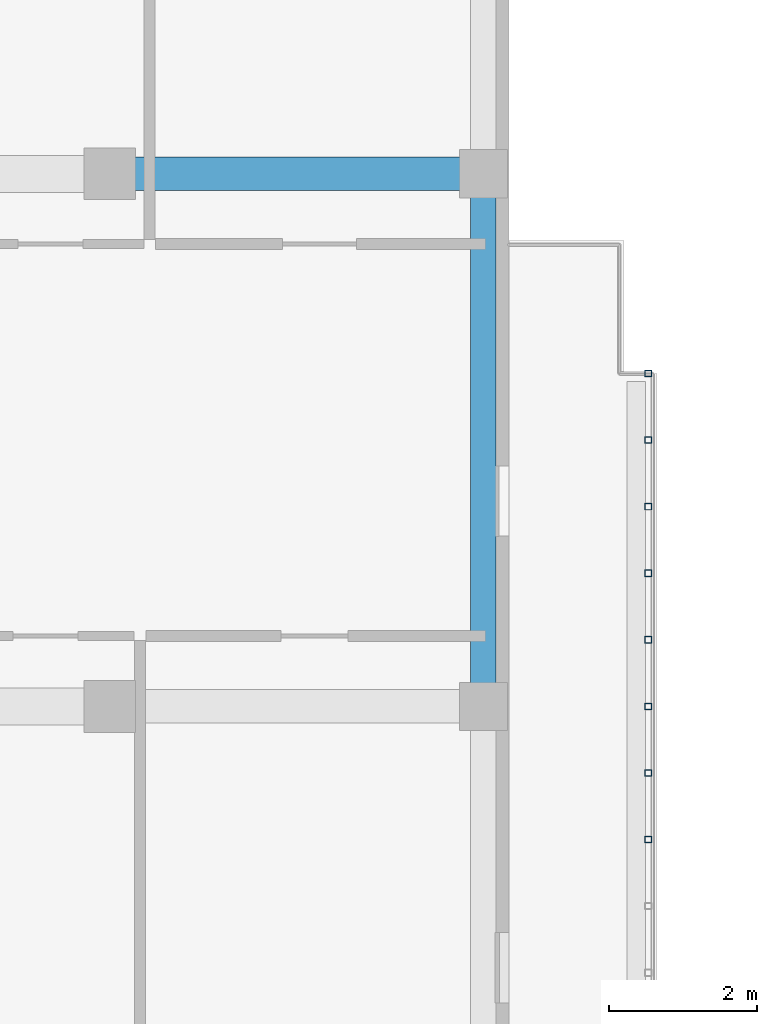
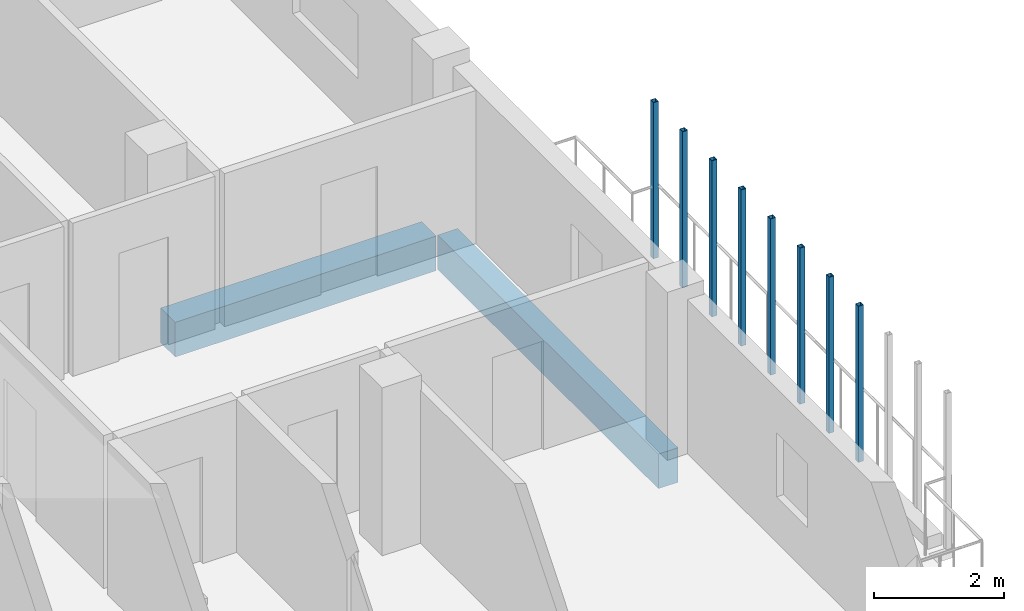
# One storey, part 11 of 51: 8 members, 2 beams.
"""IFC4 building model written with IfcOpenShell, lengths in metres."""

import ifcopenshell
import ifcopenshell.guid

model = None  # the IFC model being written
_history = None  # IfcOwnerHistory: only IFC2X3 demands one
_inside = {}  # id of a spatial element -> (the spatial element, [elements in it])
_under = {}  # id of a project, library or spatial element -> (it, [spatial elements below it])
_declared = {}  # id of a project -> (the project, [libraries it declares])
_typed = {}  # id of a type object -> (the type object, [elements of that type])
_made_of = {}  # id of a material, layer set ... -> (it, [elements and type objects made of it])


def new_model(schema):
    """Start an empty IFC model of exactly this schema.

    Asked for "IFC4X3", IfcOpenShell would pick the latest addendum, in which some entities
    have other attributes; the version numbers below select the first issue.
    IFC2X3 requires an IfcOwnerHistory on every rooted entity: one is made here for all.
    """
    global model, _history
    if schema == "IFC4X3":
        model = ifcopenshell.file(schema_version=(4, 3, 0, 0))
    else:
        model = ifcopenshell.file(schema=schema)
    _inside.clear()
    _under.clear()
    _declared.clear()
    _typed.clear()
    _made_of.clear()
    _history = None
    if model.schema == "IFC2X3":
        org = make("IfcOrganization", Name="unknown")
        user = make(
            "IfcPersonAndOrganization",
            ThePerson=make("IfcPerson", FamilyName="unknown"),
            TheOrganization=org,
        )
        app = make(
            "IfcApplication",
            ApplicationDeveloper=org,
            Version="unknown",
            ApplicationFullName="unknown",
            ApplicationIdentifier="unknown",
        )
        _history = make(
            "IfcOwnerHistory",
            OwningUser=user,
            OwningApplication=app,
            ChangeAction="ADDED",
            CreationDate=0,
        )
    return model


def make(cls, **values):
    """One entity of the class cls with the attributes given. An attribute that is None is left unset."""
    return model.create_entity(
        cls, **{name: value for name, value in values.items() if value is not None}
    )


def rooted(cls, **values):
    """An entity with a GlobalId (a new one), such as an element, a storey or a relation."""
    return make(cls, GlobalId=ifcopenshell.guid.new(), OwnerHistory=_history, **values)


def si_unit(unit_type, name, prefix=None):
    """IfcSIUnit, for example si_unit("LENGTHUNIT", "METRE", prefix="MILLI")."""
    return make("IfcSIUnit", UnitType=unit_type, Prefix=prefix, Name=name)


def derived_unit(unit_type, elements):
    """IfcDerivedUnit: a product of units, each with its exponent."""
    return make(
        "IfcDerivedUnit",
        Elements=[
            make("IfcDerivedUnitElement", Unit=unit, Exponent=power)
            for unit, power in elements
        ],
        UnitType=unit_type,
    )


def assignment(units):
    """IfcUnitAssignment: the units of a project."""
    return None if units is None else make("IfcUnitAssignment", Units=units)


def point(xyz):
    """IfcCartesianPoint."""
    return None if xyz is None else make("IfcCartesianPoint", Coordinates=xyz)


def direction(xyz):
    """IfcDirection."""
    return None if xyz is None else make("IfcDirection", DirectionRatios=xyz)


def frame(location, z_axis=None, x_axis=None):
    """IfcAxis2Placement3D, a coordinate frame: its origin and axes. An axis left out is left unset."""
    return make(
        "IfcAxis2Placement3D",
        Location=point(location),
        Axis=direction(z_axis),
        RefDirection=direction(x_axis),
    )


def frame_2d(location, x_axis=None):
    """IfcAxis2Placement2D, a coordinate frame in the plane: its origin and x axis."""
    return make(
        "IfcAxis2Placement2D", Location=point(location), RefDirection=direction(x_axis)
    )


def origin():
    """The frame at (0, 0, 0) with its axes left unset."""
    return frame((0.0, 0.0, 0.0))


def origin_2d():
    """The frame at (0, 0) in the plane with its x axis left unset."""
    return frame_2d((0.0, 0.0))


def place(relative_to, where):
    """IfcLocalPlacement: puts the frame where relative to a parent placement (None: the world)."""
    return make(
        "IfcLocalPlacement", PlacementRelTo=relative_to, RelativePlacement=where
    )


def context(
    kind, dimensions, precision=None, world=None, true_north=None, identifier=None
):
    """IfcGeometricRepresentationContext, for example the 3D "Model" context."""
    return make(
        "IfcGeometricRepresentationContext",
        ContextIdentifier=identifier,
        ContextType=kind,
        CoordinateSpaceDimension=dimensions,
        Precision=precision,
        WorldCoordinateSystem=world,
        TrueNorth=true_north,
    )


def subcontext(parent, identifier, kind, view, scale=None):
    """IfcGeometricRepresentationSubContext, for example "Body" below "Model"."""
    return make(
        "IfcGeometricRepresentationSubContext",
        ContextIdentifier=identifier,
        ContextType=kind,
        ParentContext=parent,
        TargetScale=scale,
        TargetView=view,
    )


def project(units=None, contexts=None):
    """IfcProject with its units and contexts."""
    return rooted(
        "IfcProject",
        Name="project",
        RepresentationContexts=contexts,
        UnitsInContext=assignment(units),
    )


def spatial(cls, under=None, at=None, **own):
    """A site, building, storey or space (cls), placed at a placement, below another one or the project."""
    s = rooted(cls, ObjectPlacement=at, **own)
    if under is not None:
        _under.setdefault(under.id(), (under, []))[1].append(s)
    return s


def profile(cls, at=None, kind="AREA", **sizes):
    """A parametric profile (cls). Its sizes go by their IFC names, for example OverallWidth=200.0."""
    return make(cls, ProfileType=kind, Position=at, **sizes)


def rectangle(**sizes):
    """IfcRectangleProfileDef."""
    return profile("IfcRectangleProfileDef", **sizes)


def hollow_rectangle(**sizes):
    """IfcRectangleHollowProfileDef."""
    return profile("IfcRectangleHollowProfileDef", **sizes)


def extrude(swept, where, along, depth):
    """IfcExtrudedAreaSolid: the profile swept, set in the frame where, extruded along a direction by depth."""
    return make(
        "IfcExtrudedAreaSolid",
        SweptArea=swept,
        Position=where,
        ExtrudedDirection=direction(along),
        Depth=depth,
    )


def shape(context_of_items, identifier, shape_type, items):
    """IfcShapeRepresentation: the items that make up one representation, for example the "Body"."""
    return make(
        "IfcShapeRepresentation",
        ContextOfItems=context_of_items,
        RepresentationIdentifier=identifier,
        RepresentationType=shape_type,
        Items=items,
    )


def material(Name=None, Category=None):
    """IfcMaterial."""
    return make("IfcMaterial", Name=Name, Category=Category)


def material_profile(
    of_material, cross_section, Name=None, Category=None, Priority=None
):
    """IfcMaterialProfile: a cross section and its material."""
    return make(
        "IfcMaterialProfile",
        Name=Name,
        Material=of_material,
        Profile=cross_section,
        Priority=Priority,
        Category=Category,
    )


def profile_set(profiles, Name=None, composite=None):
    """IfcMaterialProfileSet."""
    return make(
        "IfcMaterialProfileSet",
        Name=Name,
        MaterialProfiles=profiles,
        CompositeProfile=composite,
    )


def made_of(thing, what):
    """Note that an element or type object is made of a material, layer set ...; save() writes the relation."""
    if what is not None:
        _made_of.setdefault(what.id(), (what, []))[1].append(thing)
    return thing


def type_object(cls, material=None, **own):
    """A type object (cls), such as IfcWallType, which elements share."""
    return made_of(rooted(cls, **own), material)


def element(
    cls,
    number,
    at=None,
    inside=None,
    cuts=None,
    type_object=None,
    material=None,
    context=None,
    identifier="Body",
    shape_type=None,
    held_by="IfcProductDefinitionShape",
    body=None,
    shapes=None,
    **own,
):
    """One element of the class cls, such as IfcWall. Its Tag is "e" and its number.

    at: its placement. inside: the storey or other place that contains it. cuts: it is an
    opening in that element (IfcRelVoidsElement). A single representation is given by context,
    identifier, shape_type and body (its items); several are given by shapes. held_by: the class
    of the entity that holds the representations. save() writes the other relations.
    """
    e = rooted(cls, Tag="e%d" % number, ObjectPlacement=at, **own)
    if body is not None:
        shapes = [shape(context, identifier, shape_type, body)]
    if shapes is not None:
        e.Representation = make(held_by, Representations=shapes)
    if inside is not None:
        _inside.setdefault(inside.id(), (inside, []))[1].append(e)
    if cuts is not None:
        rooted(
            "IfcRelVoidsElement", RelatingBuildingElement=cuts, RelatedOpeningElement=e
        )
    if type_object is not None:
        _typed.setdefault(type_object.id(), (type_object, []))[1].append(e)
    return made_of(e, material)


def aggregate(whole, parts):
    """IfcRelAggregates: a whole, such as a stair, and the parts it consists of."""
    return rooted("IfcRelAggregates", RelatingObject=whole, RelatedObjects=parts)


def save(model, path):
    """Write the relations noted so far, then the file.

    IfcRelAggregates (storeys below a building ...), IfcRelContainedInSpatialStructure (elements
    in a storey), IfcRelDefinesByType, IfcRelAssociatesMaterial and IfcRelDeclares: one each for
    every whole, place, type object, material and project.
    """
    for whole, parts in _under.values():
        aggregate(whole, parts)
    for where, things in _inside.values():
        rooted(
            "IfcRelContainedInSpatialStructure",
            RelatedElements=things,
            RelatingStructure=where,
        )
    for kind, things in _typed.values():
        rooted("IfcRelDefinesByType", RelatedObjects=things, RelatingType=kind)
    for what, things in _made_of.values():
        rooted("IfcRelAssociatesMaterial", RelatedObjects=things, RelatingMaterial=what)
    for by, libraries in _declared.values():
        rooted("IfcRelDeclares", RelatingContext=by, RelatedDefinitions=libraries)
    model.write(path)


model = new_model("IFC4")

# Units and contexts
model_context = context("Model", 3, precision=1e-05, world=origin(), true_north=direction((0.0, 1.0)))
body_context = subcontext(model_context, "Body", "Model", "MODEL_VIEW")
ifc_project = project(units=[si_unit("LENGTHUNIT", "METRE"), si_unit("AREAUNIT", "SQUARE_METRE"), si_unit("VOLUMEUNIT", "CUBIC_METRE"), si_unit("PLANEANGLEUNIT", "RADIAN"), si_unit("MASSUNIT", "GRAM", prefix="KILO"), derived_unit("THERMALTRANSMITTANCEUNIT", [(si_unit("MASSUNIT", "GRAM", prefix="KILO"), 1), (si_unit("TIMEUNIT", "SECOND"), -3), (si_unit("THERMODYNAMICTEMPERATUREUNIT", "KELVIN"), -1)])], contexts=[model_context])

# Site, building, storey
site_placement = place(None, origin())
site = spatial("IfcSite", under=ifc_project, at=site_placement, CompositionType="ELEMENT")
building_placement = place(site_placement, origin())
building = spatial("IfcBuilding", under=site, at=building_placement, Name="Ochrekiln Boulevard Commons", CompositionType="ELEMENT")
storey_placement = place(building_placement, frame((0.0, 0.0, 15.22509765625)))
storey = spatial("IfcBuildingStorey", under=building, at=storey_placement, Name="L04", CompositionType="ELEMENT", Elevation=15.22509765625)

# Beam
ifc_material_1 = material(Name="Concrete C35/45", Category="concrete")
ifc_material_profile_1 = material_profile(ifc_material_1, rectangle(XDim=0.449951171875, YDim=0.64990234375, at=origin_2d()), Name="RC-BM-450x650")
ifc_profile_set_1 = profile_set([ifc_material_profile_1], Name="Concrete C35/45")
beam_type_1 = type_object("IfcBeamType", Name="BM-RC-450x650", PredefinedType="BEAM", material=ifc_profile_set_1)
beam_1_placement = place(storey_placement, frame((16.409912109375, 90.0, -0.585205078125), z_axis=(1.0, 0.0, 0.0), x_axis=(0.0, 1.0, 0.0)))
element("IfcBeam", 1, at=beam_1_placement, inside=storey, type_object=beam_type_1, Name="Block A L04 Beam B-4565 X11", PredefinedType="BEAM", context=body_context, shape_type="SweptSolid", body=[
    extrude(rectangle(XDim=0.449951171875, YDim=0.64990234375, at=origin_2d()), origin(), (0.0, 0.0, 1.0), 4.630126953125),
])

# Members
ifc_material_2 = material(Name="Steel A500 Grade C", Category="steel")
ifc_material_profile_2 = material_profile(ifc_material_2, hollow_rectangle(XDim=0.090087890625, YDim=0.090087890625, WallThickness=0.00634765625, at=origin_2d()), Name="HSS90X90X6.4")
ifc_profile_set_2 = profile_set([ifc_material_profile_2], Name="Steel A500 Grade C")
member_type = type_object("IfcMemberType", Name="MEM-PST-HSS90", PredefinedType="POST", material=ifc_profile_set_2)
for number, where, z_axis, x_axis, name in (
    (2, (23.47998046875, 81.0, 0.0), (0.0, 0.0, 1.0), (1.0, 0.0, 0.0), "Block A L04 Slim Vertical Balcony Post (92)"),
    (3, (23.47998046875, 81.89990234375, 0.0), (0.0, 0.0, 1.0), (1.0, 0.0, 0.0), "Block A L04 Slim Vertical Balcony Post (93)"),
    (4, (23.47998046875, 82.800048828125, 0.0), (0.0, 0.0, 1.0), (1.0, 0.0, 0.0), "Block A L04 Slim Vertical Balcony Post (94)"),
    (5, (23.47998046875, 83.699951171875, 0.0), (0.0, 0.0, 1.0), (1.0, 0.0, 0.0), "Block A L04 Slim Vertical Balcony Post (95)"),
    (6, (23.47998046875, 84.60009765625, 0.0), (0.0, 0.0, 1.0), (1.0, 0.0, 0.0), "Block A L04 Slim Vertical Balcony Post (96)"),
    (7, (23.47998046875, 85.5, 0.0), (0.0, 0.0, 1.0), (1.0, 0.0, 0.0), "Block A L04 Slim Vertical Balcony Post (97)"),
    (8, (23.47998046875, 86.39990234375, 0.0), (0.0, 0.0, 1.0), (1.0, 0.0, 0.0), "Block A L04 Slim Vertical Balcony Post (98)"),
    (9, (23.47998046875, 87.300048828125, 0.0), (0.0, 0.0, 1.0), (1.0, 0.0, 0.0), "Block A L04 Slim Vertical Balcony Post (99)"),
):
    element("IfcMember", number, at=place(storey_placement, frame(where, z_axis=z_axis, x_axis=x_axis)), inside=storey, type_object=member_type, Name=name, PredefinedType="POST", context=body_context, shape_type="SweptSolid", body=[
        extrude(hollow_rectangle(XDim=0.090087890625, YDim=0.090087890625, WallThickness=0.00634765625, at=origin_2d()), origin(), (0.0, 0.0, 1.0), 2.929931640625),
    ])

# Beam
ifc_material_3 = material(Name="Concrete C40/50", Category="concrete")
ifc_material_profile_3 = material_profile(ifc_material_3, rectangle(XDim=0.35009765625, YDim=0.64990234375, at=origin_2d()), Name="RC-SPN-350x650")
ifc_profile_set_3 = profile_set([ifc_material_profile_3], Name="Concrete C40/50")
beam_type_2 = type_object("IfcBeamType", Name="SPN-RC-350x650", PredefinedType="SPANDREL", material=ifc_profile_set_3)
beam_2_placement = place(storey_placement, frame((21.25, 83.010009765625, -0.585205078125), z_axis=(0.0, 1.0, 0.0), x_axis=(-1.0, 0.0, 0.0)))
element("IfcBeam", 10, at=beam_2_placement, inside=storey, type_object=beam_type_2, Name="Block A L04 Beam SP-3565 Y32", PredefinedType="SPANDREL", context=body_context, shape_type="SweptSolid", body=[
    extrude(rectangle(XDim=0.35009765625, YDim=0.64990234375, at=origin_2d()), origin(), (0.0, 0.0, 1.0), 6.780029296875),
])

save(model, "model.ifc")
